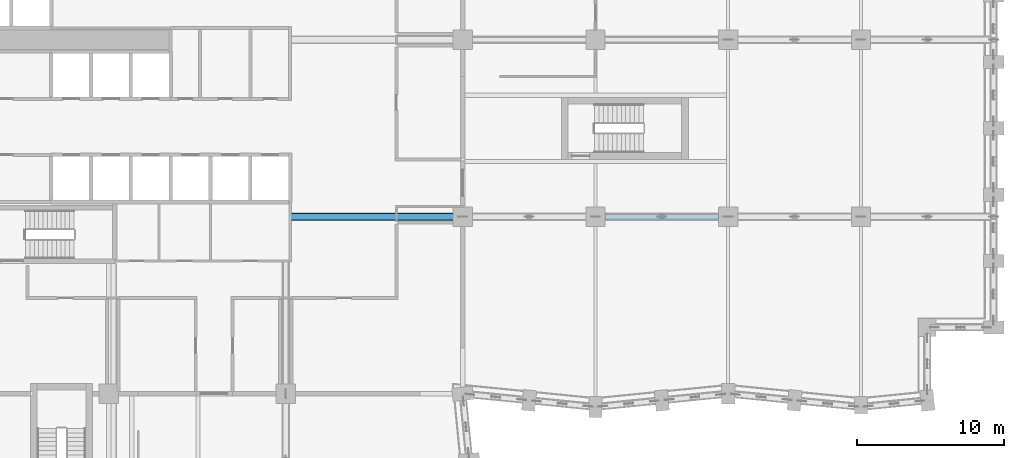
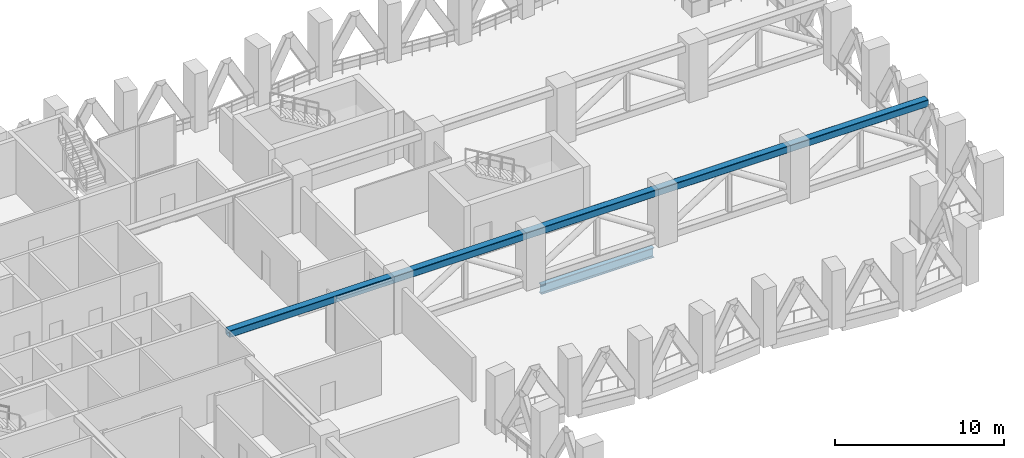
# One storey, part 8 of 25: 1 beam, 1 member.
"""IFC4 building model written with IfcOpenShell, lengths in metres."""

from ifc_helpers import new_model, si_unit, direction, frame, origin, origin_2d, place, context, subcontext, project, spatial, hollow_rectangle, i_section, extrude, material, material_profile, profile_set, type_object, element, save


model = new_model("IFC4")

# Units and contexts
model_context = context("Model", 3, precision=1e-05, world=origin(), true_north=direction((0.0, 1.0)))
body_context = subcontext(model_context, "Body", "Model", "MODEL_VIEW")
ifc_project = project(units=[si_unit("LENGTHUNIT", "METRE"), si_unit("AREAUNIT", "SQUARE_METRE"), si_unit("VOLUMEUNIT", "CUBIC_METRE"), si_unit("PLANEANGLEUNIT", "RADIAN"), si_unit("MASSUNIT", "GRAM", prefix="KILO")], contexts=[model_context])

# Site, building, storey
site_placement = place(None, origin())
site = spatial("IfcSite", under=ifc_project, at=site_placement, CompositionType="ELEMENT")
building_placement = place(site_placement, origin())
building = spatial("IfcBuilding", under=site, at=building_placement, Name="Brondeck Convention Tower", CompositionType="ELEMENT")
storey_placement = place(building_placement, frame((0.0, 0.0, 84.300048828125)))
storey = spatial("IfcBuildingStorey", under=building, at=storey_placement, Name="L19", CompositionType="ELEMENT", Elevation=84.300048828125)

# Beam
ifc_material_1 = material(Name="Steel S355", Category="steel")
ifc_material_profile_1 = material_profile(ifc_material_1, i_section(OverallWidth=0.300048828125, OverallDepth=0.699951171875, WebThickness=0.01708984375, FlangeThickness=0.031982421875, FilletRadius=0.027099609375, at=origin_2d()), Name="HEB 700")
ifc_profile_set_1 = profile_set([ifc_material_profile_1], Name="Steel S355")
beam_type = type_object("IfcBeamType", Name="Girder HEB 700", PredefinedType="BEAM", material=ifc_profile_set_1)
beam_placement = place(storey_placement, frame((45.64990234375, 39.0, -0.650146484375), z_axis=(1.0, 0.0, 0.0), x_axis=(0.0, 1.0, 0.0)))
element("IfcBeam", 1, at=beam_placement, inside=storey, type_object=beam_type, Name="STR-GR-L19-002", PredefinedType="BEAM", context=body_context, shape_type="SweptSolid", body=[
    extrude(i_section(OverallWidth=0.300048828125, OverallDepth=0.699951171875, WebThickness=0.01708984375, FlangeThickness=0.031982421875, FilletRadius=0.027099609375, at=origin_2d()), origin(), (0.0, 0.0, 1.0), 7.7001953125),
])

# Member
ifc_material_2 = material(Name="Steel S460", Category="steel")
ifc_material_profile_2 = material_profile(ifc_material_2, hollow_rectangle(XDim=0.5, YDim=0.5, WallThickness=0.02490234375, InnerFilletRadius=0.02490234375, OuterFilletRadius=0.050048828125, at=origin_2d()), Name="RHS 500x500x25")
ifc_profile_set_2 = profile_set([ifc_material_profile_2], Name="Steel S460")
member_type = type_object("IfcMemberType", Name="Truss chord RHS 500x500x25", PredefinedType="CHORD", material=ifc_profile_set_2)
member_placement = place(storey_placement, frame((24.344970703125, 39.0, 3.64990234375), z_axis=(1.0, 0.0, 0.0), x_axis=(0.0, 1.0, 0.0)))
element("IfcMember", 2, at=member_placement, inside=storey, type_object=member_type, Name="Outrigger truss OT-19-A1 chord", PredefinedType="CHORD", context=body_context, shape_type="SweptSolid", body=[
    extrude(hollow_rectangle(XDim=0.5, YDim=0.5, WallThickness=0.02490234375, InnerFilletRadius=0.02490234375, OuterFilletRadius=0.050048828125, at=origin_2d()), origin(), (0.0, 0.0, 1.0), 47.655029296875),
])

save(model, "model.ifc")
